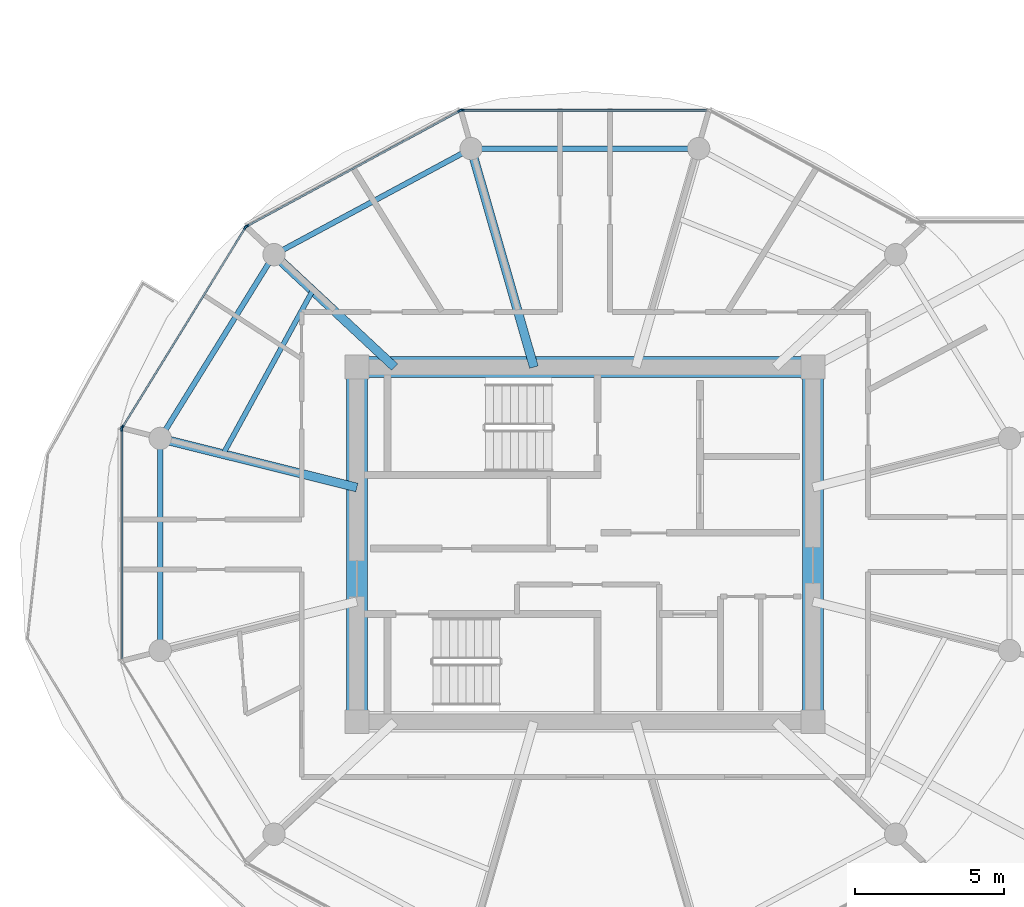
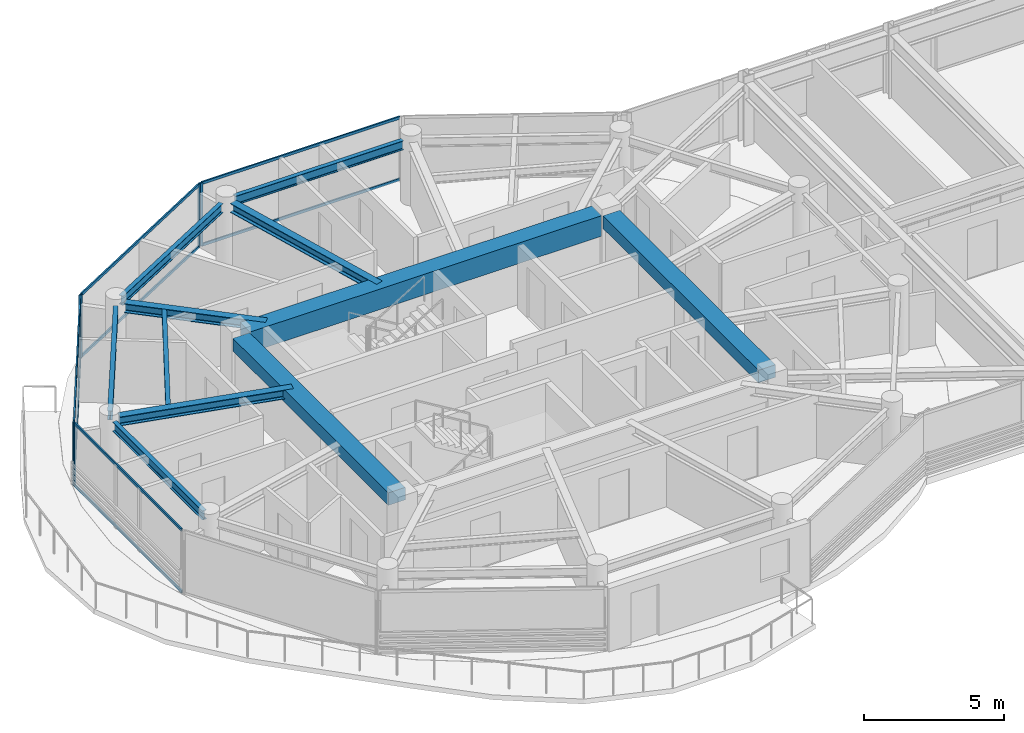
# One storey, part 4 of 24: 14 members, 11 beams, 4 elements without a shape of their own.
"""IFC4 building model written with IfcOpenShell, lengths in metres."""

from ifc_helpers import new_model, si_unit, direction, frame, origin, origin_2d, place, context, subcontext, project, spatial, rectangle, i_section, extrude, source, transform, mapped, material, layer, layer_set, material_profile, profile_set, type_object, type_shapes, element, aggregate, save


model = new_model("IFC4")

# Units and contexts
model_context = context("Model", 3, precision=1e-05, world=origin(), true_north=direction((0.0, 1.0)))
body_context = subcontext(model_context, "Body", "Model", "MODEL_VIEW")
ifc_project = project(units=[si_unit("LENGTHUNIT", "METRE"), si_unit("AREAUNIT", "SQUARE_METRE"), si_unit("VOLUMEUNIT", "CUBIC_METRE"), si_unit("PLANEANGLEUNIT", "RADIAN"), si_unit("MASSUNIT", "GRAM", prefix="KILO")], contexts=[model_context])

# Site, building, storey
site_placement = place(None, origin())
site = spatial("IfcSite", under=ifc_project, at=site_placement, CompositionType="ELEMENT")
building_placement = place(site_placement, origin())
building = spatial("IfcBuilding", under=site, at=building_placement, Name="Norrkilde Senior Care Towers", CompositionType="ELEMENT")
storey_placement = place(building_placement, frame((0.0, 0.0, 223.050048828125)))
storey = spatial("IfcBuildingStorey", under=building, at=storey_placement, Name="L69", CompositionType="ELEMENT", Elevation=223.050048828125)

# Beams
ifc_material_1 = material(Name="Concrete C60/75", Category="concrete")
ifc_material_profile_1 = material_profile(ifc_material_1, rectangle(XDim=0.699951171875, YDim=0.89990234375, at=origin_2d()), Name="RC BM 700x900")
ifc_profile_set_1 = profile_set([ifc_material_profile_1], Name="Concrete C60/75")
beam_type_1 = type_object("IfcBeamType", Name="Core Coupling Girder 700x900", PredefinedType="USERDEFINED", material=ifc_profile_set_1)
shared_shape_1 = source(origin(), body_context, "Body", "SweptSolid", [
    extrude(rectangle(XDim=0.699951171875, YDim=0.89990234375, at=origin_2d()), origin(), (0.0, 0.0, 1.0), 14.5400390625),
])
type_shapes(beam_type_1, [shared_shape_1])
beam_1_placement = place(storey_placement, frame((-35.27001953125, 5.949951171875, 2.31005859375), z_axis=(1.0, 0.0, 0.0), x_axis=(0.0, 1.0, 0.0)))
element("IfcBeam", 1, at=beam_1_placement, inside=storey, type_object=beam_type_1, Name="L69 Core W N Coupling Girder", ObjectType="GIRDER", PredefinedType="USERDEFINED", context=body_context, shape_type="MappedRepresentation", body=[
    mapped(shared_shape_1, transform((0.0, 0.0, 0.0), x_axis=(1.0, 0.0, 0.0), y_axis=(0.0, 1.0, 0.0), z_axis=(0.0, 0.0, 1.0), scale=1.0)),
])
ifc_material_profile_2 = material_profile(ifc_material_1, rectangle(XDim=0.699951171875, YDim=0.550048828125, at=origin_2d()), Name="RC BM 700x550")
ifc_profile_set_2 = profile_set([ifc_material_profile_2], Name="Concrete C60/75")
beam_type_2 = type_object("IfcBeamType", Name="Core Portal Coupling Beam 700x550", PredefinedType="USERDEFINED", material=ifc_profile_set_2)
shared_shape_2 = source(origin(), body_context, "Body", "SweptSolid", [
    extrude(rectangle(XDim=0.699951171875, YDim=0.550048828125, at=origin_2d()), origin(), (0.0, 0.0, 1.0), 11.14013671875),
])
type_shapes(beam_type_2, [shared_shape_2])
for number, where, z_axis, x_axis, name in (
    (2, (-35.64990234375, -5.570068359375, 2.48486328125), (0.0, 1.0, 0.0), (-1.0, 0.0, 0.0), "L69 Core W W Coupling Girder"),
    (3, (-20.35009765625, -5.570068359375, 2.48486328125), (0.0, 1.0, 0.0), (-1.0, 0.0, 0.0), "L69 Core W E Coupling Girder"),
):
    element("IfcBeam", number, at=place(storey_placement, frame(where, z_axis=z_axis, x_axis=x_axis)), inside=storey, type_object=beam_type_2, Name=name, ObjectType="GIRDER", PredefinedType="USERDEFINED", context=body_context, shape_type="MappedRepresentation", body=[
        mapped(shared_shape_2, transform((0.0, 0.0, 0.0), x_axis=(1.0, 0.0, 0.0), y_axis=(0.0, 1.0, 0.0), z_axis=(0.0, 0.0, 1.0), scale=1.0)),
    ])
ifc_material_2 = material(Name="Steel S355", Category="steel")
ifc_material_profile_3 = material_profile(ifc_material_2, i_section(OverallWidth=0.179931640625, OverallDepth=0.39990234375, WebThickness=0.008544921875, FlangeThickness=0.013427734375, FilletRadius=0.02099609375, at=origin_2d()), Name="IPE 400")
ifc_profile_set_3 = profile_set([ifc_material_profile_3], Name="Steel S355")
beam_type_3 = type_object("IfcBeamType", Name="Perimeter Ring Spandrel Z4 IPE400", PredefinedType="SPANDREL", material=ifc_profile_set_3)
shared_shape_3 = source(origin(), body_context, "Body", "SweptSolid", [
    extrude(i_section(OverallWidth=0.179931640625, OverallDepth=0.39990234375, WebThickness=0.008544921875, FlangeThickness=0.013427734375, FilletRadius=0.02099609375, at=origin_2d()), origin(), (0.0, 0.0, 1.0), 6.58056640625),
])
beam_2_placement = place(storey_placement, frame((-38.606201171875, 9.43798828125, 2.56005859375), z_axis=(-0.526529583789, -0.850156807533, 0.0), x_axis=(0.850156807533, -0.526529583789, 0.0)))
element("IfcBeam", 4, at=beam_2_placement, inside=storey, type_object=beam_type_3, Name="L69 Drum W Perimeter Spandrel 05", PredefinedType="SPANDREL", context=body_context, shape_type="MappedRepresentation", body=[
    mapped(shared_shape_3, transform((0.0, 0.0, 0.0), x_axis=(1.0, 0.0, 0.0), y_axis=(0.0, 1.0, 0.0), z_axis=(0.0, 0.0, 1.0), scale=1.0)),
])
ifc_material_profile_4 = material_profile(ifc_material_2, i_section(OverallWidth=0.300048828125, OverallDepth=0.39990234375, WebThickness=0.013427734375, FlangeThickness=0.02392578125, FilletRadius=0.027099609375, at=origin_2d()), Name="HEB 400")
ifc_profile_set_4 = profile_set([ifc_material_profile_4], Name="Steel S355")
beam_type_4 = type_object("IfcBeamType", Name="Radial Floor Beam Z4 HEB400", PredefinedType="BEAM", material=ifc_profile_set_4)
shared_shape_4 = source(origin(), body_context, "Body", "SweptSolid", [
    extrude(i_section(OverallWidth=0.300048828125, OverallDepth=0.39990234375, WebThickness=0.013427734375, FlangeThickness=0.02392578125, FilletRadius=0.027099609375, at=origin_2d()), origin(), (0.0, 0.0, 1.0), 6.465087890625),
])
beam_3_placement = place(storey_placement, frame((-35.64990234375, 1.910888671875, 2.56005859375), z_axis=(-0.970195788563, 0.242322371758, 0.0), x_axis=(-0.242322371758, -0.970195788563, 0.0)))
element("IfcBeam", 5, at=beam_3_placement, inside=storey, type_object=beam_type_4, Name="L69 Drum W Radial Floor Beam 06", PredefinedType="BEAM", context=body_context, shape_type="MappedRepresentation", body=[
    mapped(shared_shape_4, transform((0.0, 0.0, 0.0), x_axis=(1.0, 0.0, 0.0), y_axis=(0.0, 1.0, 0.0), z_axis=(0.0, 0.0, 1.0), scale=1.0)),
])
shared_shape_5 = source(origin(), body_context, "Body", "SweptSolid", [
    extrude(i_section(OverallWidth=0.179931640625, OverallDepth=0.39990234375, WebThickness=0.008544921875, FlangeThickness=0.013427734375, FilletRadius=0.02099609375, at=origin_2d()), origin(), (0.0, 0.0, 1.0), 6.839111328125),
])
beam_4_placement = place(storey_placement, frame((-32.112548828125, 13.122802734375, 2.56005859375), z_axis=(-0.880563930732, -0.473927382511, 0.0), x_axis=(0.473927382511, -0.880563930732, 0.0)))
element("IfcBeam", 6, at=beam_4_placement, inside=storey, type_object=beam_type_3, Name="L69 Drum W Perimeter Spandrel 04", PredefinedType="SPANDREL", context=body_context, shape_type="MappedRepresentation", body=[
    mapped(shared_shape_5, transform((0.0, 0.0, 0.0), x_axis=(1.0, 0.0, 0.0), y_axis=(0.0, 1.0, 0.0), z_axis=(0.0, 0.0, 1.0), scale=1.0)),
])
shared_shape_6 = source(origin(), body_context, "Body", "SweptSolid", [
    extrude(i_section(OverallWidth=0.300048828125, OverallDepth=0.39990234375, WebThickness=0.013427734375, FlangeThickness=0.02392578125, FilletRadius=0.027099609375, at=origin_2d()), origin(), (0.0, 0.0, 1.0), 5.197998046875),
])
beam_5_placement = place(storey_placement, frame((-34.3828125, 5.949951171875, 2.56005859375), z_axis=(-0.731448749334, 0.681896419625, 0.0), x_axis=(-0.681896419625, -0.731448749334, 0.0)))
element("IfcBeam", 7, at=beam_5_placement, inside=storey, type_object=beam_type_4, Name="L69 Drum W Radial Floor Beam 05", PredefinedType="BEAM", context=body_context, shape_type="MappedRepresentation", body=[
    mapped(shared_shape_6, transform((0.0, 0.0, 0.0), x_axis=(1.0, 0.0, 0.0), y_axis=(0.0, 1.0, 0.0), z_axis=(0.0, 0.0, 1.0), scale=1.0)),
])
shared_shape_7 = source(origin(), body_context, "Body", "SweptSolid", [
    extrude(i_section(OverallWidth=0.179931640625, OverallDepth=0.39990234375, WebThickness=0.008544921875, FlangeThickness=0.013427734375, FilletRadius=0.02099609375, at=origin_2d()), origin(), (0.0, 0.0, 1.0), 6.96533203125),
])
beam_6_placement = place(storey_placement, frame((-24.517333984375, 13.281494140625, 2.56005859375), z_axis=(-1.0, 0.0, 0.0), x_axis=(0.0, -1.0, 0.0)))
element("IfcBeam", 8, at=beam_6_placement, inside=storey, type_object=beam_type_3, Name="L69 Drum W Perimeter Spandrel 03", PredefinedType="SPANDREL", context=body_context, shape_type="MappedRepresentation", body=[
    mapped(shared_shape_7, transform((0.0, 0.0, 0.0), x_axis=(1.0, 0.0, 0.0), y_axis=(0.0, 1.0, 0.0), z_axis=(0.0, 0.0, 1.0), scale=1.0)),
])
shared_shape_8 = source(origin(), body_context, "Body", "SweptSolid", [
    extrude(i_section(OverallWidth=0.300048828125, OverallDepth=0.39990234375, WebThickness=0.013427734375, FlangeThickness=0.02392578125, FilletRadius=0.027099609375, at=origin_2d()), origin(), (0.0, 0.0, 1.0), 7.29345703125),
])
type_shapes(beam_type_4, [shared_shape_4, shared_shape_6, shared_shape_8])
beam_7_placement = place(storey_placement, frame((-29.710205078125, 5.949951171875, 2.56005859375), z_axis=(-0.276263751906, 0.961081858836, 0.0), x_axis=(-0.961081858836, -0.276263751906, 0.0)))
element("IfcBeam", 9, at=beam_7_placement, inside=storey, type_object=beam_type_4, Name="L69 Drum W Radial Floor Beam 04", PredefinedType="BEAM", context=body_context, shape_type="MappedRepresentation", body=[
    mapped(shared_shape_8, transform((0.0, 0.0, 0.0), x_axis=(1.0, 0.0, 0.0), y_axis=(0.0, 1.0, 0.0), z_axis=(0.0, 0.0, 1.0), scale=1.0)),
])
shared_shape_9 = source(origin(), body_context, "Body", "SweptSolid", [
    extrude(i_section(OverallWidth=0.179931640625, OverallDepth=0.39990234375, WebThickness=0.008544921875, FlangeThickness=0.013427734375, FilletRadius=0.02099609375, at=origin_2d()), origin(), (0.0, 0.0, 1.0), 6.44775390625),
])
type_shapes(beam_type_3, [shared_shape_3, shared_shape_5, shared_shape_7, shared_shape_9])
beam_8_placement = place(storey_placement, frame((-42.247314453125, 3.223876953125, 2.56005859375), z_axis=(0.0, -1.0, 0.0), x_axis=(1.0, 0.0, 0.0)))
element("IfcBeam", 10, at=beam_8_placement, inside=storey, type_object=beam_type_3, Name="L69 Drum W Perimeter Spandrel 06", PredefinedType="SPANDREL", context=body_context, shape_type="MappedRepresentation", body=[
    mapped(shared_shape_9, transform((0.0, 0.0, 0.0), x_axis=(1.0, 0.0, 0.0), y_axis=(0.0, 1.0, 0.0), z_axis=(0.0, 0.0, 1.0), scale=1.0)),
])
ifc_material_profile_5 = material_profile(ifc_material_2, i_section(OverallWidth=0.169921875, OverallDepth=0.360107421875, WebThickness=0.008056640625, FlangeThickness=0.0126953125, FilletRadius=0.01806640625, at=origin_2d()), Name="IPE 360")
ifc_profile_set_5 = profile_set([ifc_material_profile_5], Name="Steel S355")
beam_type_5 = type_object("IfcBeamType", Name="Secondary Floor Joist IPE360", PredefinedType="JOIST", material=ifc_profile_set_5)
shared_shape_10 = source(origin(), body_context, "Body", "SweptSolid", [
    extrude(i_section(OverallWidth=0.169921875, OverallDepth=0.360107421875, WebThickness=0.008056640625, FlangeThickness=0.0126953125, FilletRadius=0.01806640625, at=origin_2d()), origin(), (0.0, 0.0, 1.0), 6.25146484375),
])
type_shapes(beam_type_5, [shared_shape_10])
beam_9_placement = place(storey_placement, frame((-37.134765625, 8.515380859375, 2.579833984375), z_axis=(-0.480115752653, -0.877205143655, 0.0), x_axis=(0.877205143655, -0.480115752653, 0.0)))
element("IfcBeam", 11, at=beam_9_placement, inside=storey, type_object=beam_type_5, Name="L69 Drum W Secondary Floor Joist 2", PredefinedType="JOIST", context=body_context, shape_type="MappedRepresentation", body=[
    mapped(shared_shape_10, transform((0.0, 0.0, 0.0), x_axis=(1.0, 0.0, 0.0), y_axis=(0.0, 1.0, 0.0), z_axis=(0.0, 0.0, 1.0), scale=1.0)),
])

# Curtain wall, members
ifc_material_3 = material(Name="Triple Low-E Insulated Glazing", Category="glass")
ifc_layer = layer(ifc_material_3, 0.18505859375)
ifc_layer_set = layer_set([ifc_layer], Name="Triple Low-E Insulated Glazing")
curtain_wall_type = type_object("IfcCurtainWallType", Name="CW6 Zone 4 Crown Pavilion Curtain Wall", PredefinedType="NOTDEFINED", material=ifc_layer_set)
curtain_wall_1_placement = place(storey_placement, origin())
curtain_wall_1 = element("IfcCurtainWall", 12, at=curtain_wall_1_placement, inside=storey, type_object=curtain_wall_type, Name="L69 Drum W Curtain Wall 04", PredefinedType="NOTDEFINED")
ifc_material_4 = material(Name="Anodised Aluminium", Category="aluminium")
ifc_material_profile_6 = material_profile(ifc_material_4, rectangle(XDim=0.06005859375, YDim=0.1201171875, at=origin_2d()), Name="ALU TRAN 60x120")
ifc_profile_set_6 = profile_set([ifc_material_profile_6], Name="Anodised Aluminium")
member_type_1 = type_object("IfcMemberType", Name="Curtain Wall Transom Typical 60x120", PredefinedType="USERDEFINED", material=ifc_profile_set_6)
shared_shape_11 = source(origin(), body_context, "Body", "SweptSolid", [
    extrude(rectangle(XDim=0.06005859375, YDim=0.1201171875, at=origin_2d()), origin(), (0.0, 0.0, 1.0), 7.808837890625),
])
member_1_placement = place(storey_placement, frame((-43.498046875, 3.958251953125, 0.030029296875), z_axis=(0.524250924101, 0.851563837055, 0.0), x_axis=(-0.851563837055, 0.524250924101, 0.0)))
member_1 = element("IfcMember", 13, at=member_1_placement, type_object=member_type_1, Name="CW-6 transom 1.1", ObjectType="TRANSOM", PredefinedType="USERDEFINED", context=body_context, shape_type="MappedRepresentation", body=[
    mapped(shared_shape_11, transform((0.0, 0.0, 0.0), x_axis=(1.0, 0.0, 0.0), y_axis=(0.0, 1.0, 0.0), z_axis=(0.0, 0.0, 1.0), scale=1.0)),
])
member_2_placement = place(storey_placement, frame((-43.498046875, 3.958251953125, 2.72998046875), z_axis=(0.524250924101, 0.851563837055, 0.0), x_axis=(-0.851563837055, 0.524250924101, 0.0)))
member_2 = element("IfcMember", 14, at=member_2_placement, type_object=member_type_1, Name="CW-6 transom 1.2", ObjectType="TRANSOM", PredefinedType="USERDEFINED", context=body_context, shape_type="MappedRepresentation", body=[
    mapped(shared_shape_11, transform((0.0, 0.0, 0.0), x_axis=(1.0, 0.0, 0.0), y_axis=(0.0, 1.0, 0.0), z_axis=(0.0, 0.0, 1.0), scale=1.0)),
])

curtain_wall_2_placement = place(storey_placement, origin())
curtain_wall_2 = element("IfcCurtainWall", 15, at=curtain_wall_2_placement, inside=storey, type_object=curtain_wall_type, Name="L69 Drum W Curtain Wall 02", PredefinedType="NOTDEFINED")
shared_shape_12 = source(origin(), body_context, "Body", "SweptSolid", [
    extrude(rectangle(XDim=0.06005859375, YDim=0.1201171875, at=origin_2d()), origin(), (0.0, 0.0, 1.0), 8.19384765625),
])
member_3_placement = place(storey_placement, frame((-32.096923828125, 14.566162109375, 0.030029296875), z_axis=(1.0, 0.0, 0.0), x_axis=(0.0, 1.0, 0.0)))
member_3 = element("IfcMember", 16, at=member_3_placement, type_object=member_type_1, Name="CW-6 transom 1.1", ObjectType="TRANSOM", PredefinedType="USERDEFINED", context=body_context, shape_type="MappedRepresentation", body=[
    mapped(shared_shape_12, transform((0.0, 0.0, 0.0), x_axis=(1.0, 0.0, 0.0), y_axis=(0.0, 1.0, 0.0), z_axis=(0.0, 0.0, 1.0), scale=1.0)),
])
member_4_placement = place(storey_placement, frame((-32.096923828125, 14.566162109375, 2.72998046875), z_axis=(1.0, 0.0, 0.0), x_axis=(0.0, 1.0, 0.0)))
member_4 = element("IfcMember", 17, at=member_4_placement, type_object=member_type_1, Name="CW-6 transom 1.2", ObjectType="TRANSOM", PredefinedType="USERDEFINED", context=body_context, shape_type="MappedRepresentation", body=[
    mapped(shared_shape_12, transform((0.0, 0.0, 0.0), x_axis=(1.0, 0.0, 0.0), y_axis=(0.0, 1.0, 0.0), z_axis=(0.0, 0.0, 1.0), scale=1.0)),
])

curtain_wall_3_placement = place(storey_placement, origin())
curtain_wall_3 = element("IfcCurtainWall", 18, at=curtain_wall_3_placement, inside=storey, type_object=curtain_wall_type, Name="L69 Drum W Curtain Wall 03", PredefinedType="NOTDEFINED")
shared_shape_13 = source(origin(), body_context, "Body", "SweptSolid", [
    extrude(rectangle(XDim=0.06005859375, YDim=0.1201171875, at=origin_2d()), origin(), (0.0, 0.0, 1.0), 8.0673828125),
])
member_5_placement = place(storey_placement, frame((-39.313232421875, 10.694091796875, 0.030029296875), z_axis=(0.87937750072, 0.476125205411, 0.0), x_axis=(-0.476125205411, 0.87937750072, 0.0)))
member_5 = element("IfcMember", 19, at=member_5_placement, type_object=member_type_1, Name="CW-6 transom 1.1", ObjectType="TRANSOM", PredefinedType="USERDEFINED", context=body_context, shape_type="MappedRepresentation", body=[
    mapped(shared_shape_13, transform((0.0, 0.0, 0.0), x_axis=(1.0, 0.0, 0.0), y_axis=(0.0, 1.0, 0.0), z_axis=(0.0, 0.0, 1.0), scale=1.0)),
])
member_6_placement = place(storey_placement, frame((-39.313232421875, 10.694091796875, 2.72998046875), z_axis=(0.87937750072, 0.476125205411, 0.0), x_axis=(-0.476125205411, 0.87937750072, 0.0)))
member_6 = element("IfcMember", 20, at=member_6_placement, type_object=member_type_1, Name="CW-6 transom 1.2", ObjectType="TRANSOM", PredefinedType="USERDEFINED", context=body_context, shape_type="MappedRepresentation", body=[
    mapped(shared_shape_13, transform((0.0, 0.0, 0.0), x_axis=(1.0, 0.0, 0.0), y_axis=(0.0, 1.0, 0.0), z_axis=(0.0, 0.0, 1.0), scale=1.0)),
])

curtain_wall_4_placement = place(storey_placement, origin())
curtain_wall_4 = element("IfcCurtainWall", 21, at=curtain_wall_4_placement, inside=storey, type_object=curtain_wall_type, Name="L69 Drum W Curtain Wall 05", PredefinedType="NOTDEFINED")
shared_shape_14 = source(origin(), body_context, "Body", "SweptSolid", [
    extrude(rectangle(XDim=0.06005859375, YDim=0.1201171875, at=origin_2d()), origin(), (0.0, 0.0, 1.0), 7.67578125),
])
type_shapes(member_type_1, [shared_shape_11, shared_shape_12, shared_shape_13, shared_shape_14])
member_7_placement = place(storey_placement, frame((-43.531982421875, -3.837890625, 0.030029296875), z_axis=(0.0, 1.0, 0.0), x_axis=(-1.0, 0.0, 0.0)))
member_7 = element("IfcMember", 22, at=member_7_placement, type_object=member_type_1, Name="CW-6 transom 1.1", ObjectType="TRANSOM", PredefinedType="USERDEFINED", context=body_context, shape_type="MappedRepresentation", body=[
    mapped(shared_shape_14, transform((0.0, 0.0, 0.0), x_axis=(1.0, 0.0, 0.0), y_axis=(0.0, 1.0, 0.0), z_axis=(0.0, 0.0, 1.0), scale=1.0)),
])
member_8_placement = place(storey_placement, frame((-43.531982421875, -3.837890625, 2.72998046875), z_axis=(0.0, 1.0, 0.0), x_axis=(-1.0, 0.0, 0.0)))
member_8 = element("IfcMember", 23, at=member_8_placement, type_object=member_type_1, Name="CW-6 transom 1.2", ObjectType="TRANSOM", PredefinedType="USERDEFINED", context=body_context, shape_type="MappedRepresentation", body=[
    mapped(shared_shape_14, transform((0.0, 0.0, 0.0), x_axis=(1.0, 0.0, 0.0), y_axis=(0.0, 1.0, 0.0), z_axis=(0.0, 0.0, 1.0), scale=1.0)),
])

# Member
ifc_material_profile_7 = material_profile(ifc_material_4, rectangle(XDim=0.06494140625, YDim=0.14990234375, at=origin_2d()), Name="ALU MULL 65x150")
ifc_profile_set_7 = profile_set([ifc_material_profile_7], Name="Anodised Aluminium")
member_type_2 = type_object("IfcMemberType", Name="Curtain Wall Mullion Z3-Z4 65x150", PredefinedType="MULLION", material=ifc_profile_set_7)
shared_shape_15 = source(origin(), body_context, "Body", "SweptSolid", [
    extrude(rectangle(XDim=0.06494140625, YDim=0.14990234375, at=origin_2d()), origin(), (0.0, 0.0, 1.0), 2.760009765625),
])
type_shapes(member_type_2, [shared_shape_15])
member_9_placement = place(storey_placement, frame((-32.12939453125, 14.566162109375, 0.0), z_axis=(0.0, 0.0, 1.0), x_axis=(0.0, 1.0, 0.0)))
member_9 = element("IfcMember", 24, at=member_9_placement, type_object=member_type_2, Name="CW-6 mullion 1", PredefinedType="MULLION", context=body_context, shape_type="MappedRepresentation", body=[
    mapped(shared_shape_15, transform((0.0, 0.0, 0.0), x_axis=(1.0, 0.0, 0.0), y_axis=(0.0, 1.0, 0.0), z_axis=(0.0, 0.0, 1.0), scale=1.0)),
])

aggregate(curtain_wall_2, [member_9, member_3, member_4])

member_10_placement = place(storey_placement, frame((-39.341796875, 10.6787109375, 0.0), z_axis=(0.0, 0.0, 1.0), x_axis=(-0.476132676136, 0.879373455772, 0.0)))
member_10 = element("IfcMember", 25, at=member_10_placement, type_object=member_type_2, Name="CW-6 mullion 1", PredefinedType="MULLION", context=body_context, shape_type="MappedRepresentation", body=[
    mapped(shared_shape_15, transform((0.0, 0.0, 0.0), x_axis=(1.0, 0.0, 0.0), y_axis=(0.0, 1.0, 0.0), z_axis=(0.0, 0.0, 1.0), scale=1.0)),
])

member_11_placement = place(storey_placement, frame((-32.1904296875, 14.55078125, 0.0), z_axis=(0.0, 0.0, 1.0), x_axis=(-0.476132676136, 0.879373455772, 0.0)))
member_11 = element("IfcMember", 26, at=member_11_placement, type_object=member_type_2, Name="CW-6 mullion 2", PredefinedType="MULLION", context=body_context, shape_type="MappedRepresentation", body=[
    mapped(shared_shape_15, transform((0.0, 0.0, 0.0), x_axis=(1.0, 0.0, 0.0), y_axis=(0.0, 1.0, 0.0), z_axis=(0.0, 0.0, 1.0), scale=1.0)),
])

aggregate(curtain_wall_3, [member_10, member_11, member_5, member_6])

member_12_placement = place(storey_placement, frame((-43.51513671875, 3.9306640625, 0.0), z_axis=(0.0, 0.0, 1.0), x_axis=(-0.851562727283, 0.524252726748, 0.0)))
member_12 = element("IfcMember", 27, at=member_12_placement, type_object=member_type_2, Name="CW-6 mullion 1", PredefinedType="MULLION", context=body_context, shape_type="MappedRepresentation", body=[
    mapped(shared_shape_15, transform((0.0, 0.0, 0.0), x_axis=(1.0, 0.0, 0.0), y_axis=(0.0, 1.0, 0.0), z_axis=(0.0, 0.0, 1.0), scale=1.0)),
])

member_13_placement = place(storey_placement, frame((-39.38720703125, 10.635498046875, 0.0), z_axis=(0.0, 0.0, 1.0), x_axis=(-0.851562727283, 0.524252726748, 0.0)))
member_13 = element("IfcMember", 28, at=member_13_placement, type_object=member_type_2, Name="CW-6 mullion 2", PredefinedType="MULLION", context=body_context, shape_type="MappedRepresentation", body=[
    mapped(shared_shape_15, transform((0.0, 0.0, 0.0), x_axis=(1.0, 0.0, 0.0), y_axis=(0.0, 1.0, 0.0), z_axis=(0.0, 0.0, 1.0), scale=1.0)),
])

aggregate(curtain_wall_1, [member_12, member_13, member_1, member_2])

member_14_placement = place(storey_placement, frame((-43.531982421875, 3.87060546875, 0.0), z_axis=(0.0, 0.0, 1.0), x_axis=(-1.0, 0.0, 0.0)))
member_14 = element("IfcMember", 29, at=member_14_placement, type_object=member_type_2, Name="CW-6 mullion 2", PredefinedType="MULLION", context=body_context, shape_type="MappedRepresentation", body=[
    mapped(shared_shape_15, transform((0.0, 0.0, 0.0), x_axis=(1.0, 0.0, 0.0), y_axis=(0.0, 1.0, 0.0), z_axis=(0.0, 0.0, 1.0), scale=1.0)),
])

aggregate(curtain_wall_4, [member_14, member_7, member_8])

save(model, "model.ifc")
